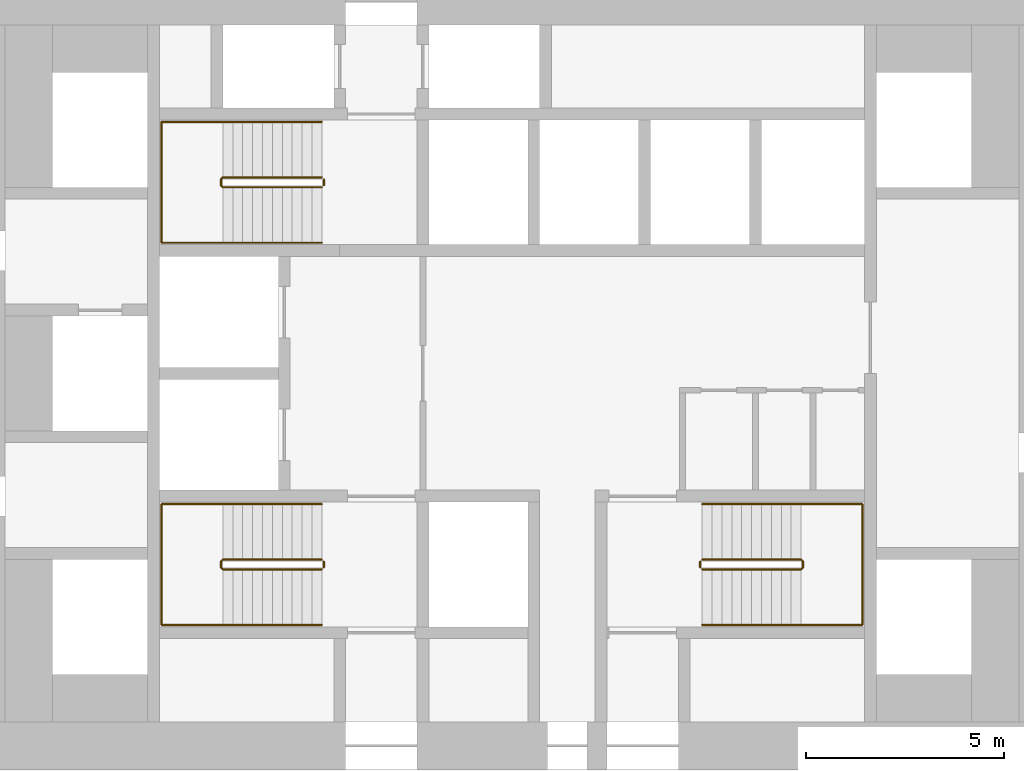
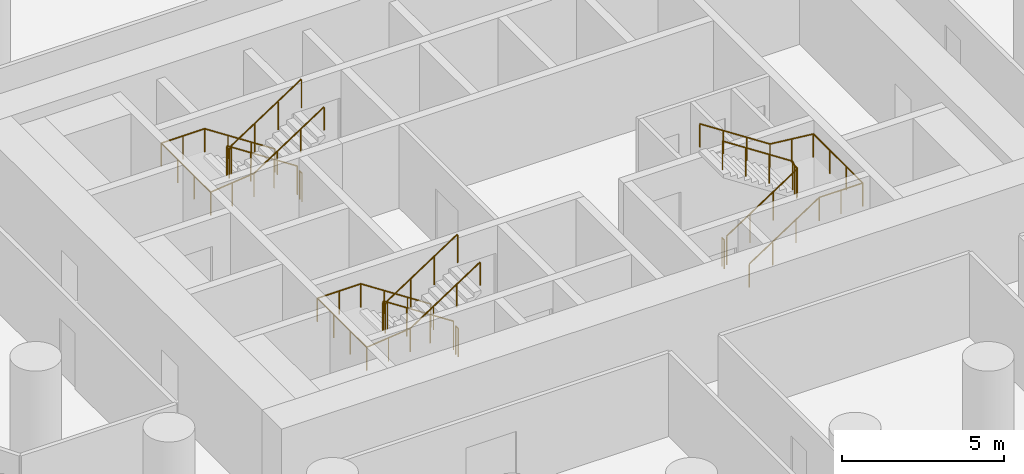
# One storey, part 12 of 12: 9 railings.
"""IFC4 building model written with IfcOpenShell, lengths in metres."""

import ifcopenshell
import ifcopenshell.guid

model = None  # the IFC model being written
_history = None  # IfcOwnerHistory: only IFC2X3 demands one
_inside = {}  # id of a spatial element -> (the spatial element, [elements in it])
_under = {}  # id of a project, library or spatial element -> (it, [spatial elements below it])
_declared = {}  # id of a project -> (the project, [libraries it declares])
_typed = {}  # id of a type object -> (the type object, [elements of that type])
_made_of = {}  # id of a material, layer set ... -> (it, [elements and type objects made of it])


def new_model(schema):
    """Start an empty IFC model of exactly this schema.

    Asked for "IFC4X3", IfcOpenShell would pick the latest addendum, in which some entities
    have other attributes; the version numbers below select the first issue.
    IFC2X3 requires an IfcOwnerHistory on every rooted entity: one is made here for all.
    """
    global model, _history
    if schema == "IFC4X3":
        model = ifcopenshell.file(schema_version=(4, 3, 0, 0))
    else:
        model = ifcopenshell.file(schema=schema)
    _inside.clear()
    _under.clear()
    _declared.clear()
    _typed.clear()
    _made_of.clear()
    _history = None
    if model.schema == "IFC2X3":
        org = make("IfcOrganization", Name="unknown")
        user = make(
            "IfcPersonAndOrganization",
            ThePerson=make("IfcPerson", FamilyName="unknown"),
            TheOrganization=org,
        )
        app = make(
            "IfcApplication",
            ApplicationDeveloper=org,
            Version="unknown",
            ApplicationFullName="unknown",
            ApplicationIdentifier="unknown",
        )
        _history = make(
            "IfcOwnerHistory",
            OwningUser=user,
            OwningApplication=app,
            ChangeAction="ADDED",
            CreationDate=0,
        )
    return model


def make(cls, **values):
    """One entity of the class cls with the attributes given. An attribute that is None is left unset."""
    return model.create_entity(
        cls, **{name: value for name, value in values.items() if value is not None}
    )


def rooted(cls, **values):
    """An entity with a GlobalId (a new one), such as an element, a storey or a relation."""
    return make(cls, GlobalId=ifcopenshell.guid.new(), OwnerHistory=_history, **values)


def si_unit(unit_type, name, prefix=None):
    """IfcSIUnit, for example si_unit("LENGTHUNIT", "METRE", prefix="MILLI")."""
    return make("IfcSIUnit", UnitType=unit_type, Prefix=prefix, Name=name)


def assignment(units):
    """IfcUnitAssignment: the units of a project."""
    return None if units is None else make("IfcUnitAssignment", Units=units)


def point(xyz):
    """IfcCartesianPoint."""
    return None if xyz is None else make("IfcCartesianPoint", Coordinates=xyz)


def direction(xyz):
    """IfcDirection."""
    return None if xyz is None else make("IfcDirection", DirectionRatios=xyz)


def frame(location, z_axis=None, x_axis=None):
    """IfcAxis2Placement3D, a coordinate frame: its origin and axes. An axis left out is left unset."""
    return make(
        "IfcAxis2Placement3D",
        Location=point(location),
        Axis=direction(z_axis),
        RefDirection=direction(x_axis),
    )


def frame_2d(location, x_axis=None):
    """IfcAxis2Placement2D, a coordinate frame in the plane: its origin and x axis."""
    return make(
        "IfcAxis2Placement2D", Location=point(location), RefDirection=direction(x_axis)
    )


def origin():
    """The frame at (0, 0, 0) with its axes left unset."""
    return frame((0.0, 0.0, 0.0))


def origin_2d():
    """The frame at (0, 0) in the plane with its x axis left unset."""
    return frame_2d((0.0, 0.0))


def place(relative_to, where):
    """IfcLocalPlacement: puts the frame where relative to a parent placement (None: the world)."""
    return make(
        "IfcLocalPlacement", PlacementRelTo=relative_to, RelativePlacement=where
    )


def context(
    kind, dimensions, precision=None, world=None, true_north=None, identifier=None
):
    """IfcGeometricRepresentationContext, for example the 3D "Model" context."""
    return make(
        "IfcGeometricRepresentationContext",
        ContextIdentifier=identifier,
        ContextType=kind,
        CoordinateSpaceDimension=dimensions,
        Precision=precision,
        WorldCoordinateSystem=world,
        TrueNorth=true_north,
    )


def subcontext(parent, identifier, kind, view, scale=None):
    """IfcGeometricRepresentationSubContext, for example "Body" below "Model"."""
    return make(
        "IfcGeometricRepresentationSubContext",
        ContextIdentifier=identifier,
        ContextType=kind,
        ParentContext=parent,
        TargetScale=scale,
        TargetView=view,
    )


def project(units=None, contexts=None):
    """IfcProject with its units and contexts."""
    return rooted(
        "IfcProject",
        Name="project",
        RepresentationContexts=contexts,
        UnitsInContext=assignment(units),
    )


def spatial(cls, under=None, at=None, **own):
    """A site, building, storey or space (cls), placed at a placement, below another one or the project."""
    s = rooted(cls, ObjectPlacement=at, **own)
    if under is not None:
        _under.setdefault(under.id(), (under, []))[1].append(s)
    return s


def profile(cls, at=None, kind="AREA", **sizes):
    """A parametric profile (cls). Its sizes go by their IFC names, for example OverallWidth=200.0."""
    return make(cls, ProfileType=kind, Position=at, **sizes)


def circle(**sizes):
    """IfcCircleProfileDef."""
    return profile("IfcCircleProfileDef", **sizes)


def extrude(swept, where, along, depth):
    """IfcExtrudedAreaSolid: the profile swept, set in the frame where, extruded along a direction by depth."""
    return make(
        "IfcExtrudedAreaSolid",
        SweptArea=swept,
        Position=where,
        ExtrudedDirection=direction(along),
        Depth=depth,
    )


def shape(context_of_items, identifier, shape_type, items):
    """IfcShapeRepresentation: the items that make up one representation, for example the "Body"."""
    return make(
        "IfcShapeRepresentation",
        ContextOfItems=context_of_items,
        RepresentationIdentifier=identifier,
        RepresentationType=shape_type,
        Items=items,
    )


def material(Name=None, Category=None):
    """IfcMaterial."""
    return make("IfcMaterial", Name=Name, Category=Category)


def made_of(thing, what):
    """Note that an element or type object is made of a material, layer set ...; save() writes the relation."""
    if what is not None:
        _made_of.setdefault(what.id(), (what, []))[1].append(thing)
    return thing


def type_object(cls, material=None, **own):
    """A type object (cls), such as IfcWallType, which elements share."""
    return made_of(rooted(cls, **own), material)


def element(
    cls,
    number,
    at=None,
    inside=None,
    cuts=None,
    type_object=None,
    material=None,
    context=None,
    identifier="Body",
    shape_type=None,
    held_by="IfcProductDefinitionShape",
    body=None,
    shapes=None,
    **own,
):
    """One element of the class cls, such as IfcWall. Its Tag is "e" and its number.

    at: its placement. inside: the storey or other place that contains it. cuts: it is an
    opening in that element (IfcRelVoidsElement). A single representation is given by context,
    identifier, shape_type and body (its items); several are given by shapes. held_by: the class
    of the entity that holds the representations. save() writes the other relations.
    """
    e = rooted(cls, Tag="e%d" % number, ObjectPlacement=at, **own)
    if body is not None:
        shapes = [shape(context, identifier, shape_type, body)]
    if shapes is not None:
        e.Representation = make(held_by, Representations=shapes)
    if inside is not None:
        _inside.setdefault(inside.id(), (inside, []))[1].append(e)
    if cuts is not None:
        rooted(
            "IfcRelVoidsElement", RelatingBuildingElement=cuts, RelatedOpeningElement=e
        )
    if type_object is not None:
        _typed.setdefault(type_object.id(), (type_object, []))[1].append(e)
    return made_of(e, material)


def aggregate(whole, parts):
    """IfcRelAggregates: a whole, such as a stair, and the parts it consists of."""
    return rooted("IfcRelAggregates", RelatingObject=whole, RelatedObjects=parts)


def save(model, path):
    """Write the relations noted so far, then the file.

    IfcRelAggregates (storeys below a building ...), IfcRelContainedInSpatialStructure (elements
    in a storey), IfcRelDefinesByType, IfcRelAssociatesMaterial and IfcRelDeclares: one each for
    every whole, place, type object, material and project.
    """
    for whole, parts in _under.values():
        aggregate(whole, parts)
    for where, things in _inside.values():
        rooted(
            "IfcRelContainedInSpatialStructure",
            RelatedElements=things,
            RelatingStructure=where,
        )
    for kind, things in _typed.values():
        rooted("IfcRelDefinesByType", RelatedObjects=things, RelatingType=kind)
    for what, things in _made_of.values():
        rooted("IfcRelAssociatesMaterial", RelatedObjects=things, RelatingMaterial=what)
    for by, libraries in _declared.values():
        rooted("IfcRelDeclares", RelatingContext=by, RelatedDefinitions=libraries)
    model.write(path)


model = new_model("IFC4")

# Units and contexts
model_context = context("Model", 3, precision=1e-05, world=origin(), true_north=direction((0.0, 1.0)))
body_context = subcontext(model_context, "Body", "Model", "MODEL_VIEW")
ifc_project = project(units=[si_unit("LENGTHUNIT", "METRE"), si_unit("AREAUNIT", "SQUARE_METRE"), si_unit("VOLUMEUNIT", "CUBIC_METRE"), si_unit("PLANEANGLEUNIT", "RADIAN"), si_unit("MASSUNIT", "GRAM", prefix="KILO")], contexts=[model_context])

# Site, building, storey
site_placement = place(None, origin())
site = spatial("IfcSite", under=ifc_project, at=site_placement, CompositionType="ELEMENT")
building_placement = place(site_placement, origin())
building = spatial("IfcBuilding", under=site, at=building_placement, Name="Tracery Tower", CompositionType="ELEMENT")
storey_placement = place(building_placement, frame((0.0, 0.0, 28.199951171875)))
storey = spatial("IfcBuildingStorey", under=building, at=storey_placement, Name="L05", CompositionType="ELEMENT", Elevation=28.199951171875)

# Railings
ifc_material_1 = material(Name="Stainless steel and laminated glass", Category="steel")
railing_type_1 = type_object("IfcRailingType", Name="Stair guard 1100", PredefinedType="GUARDRAIL", material=ifc_material_1)
railing_1_placement = place(storey_placement, frame((-4.800048828125, -4.699951171875, 0.16357421875)))
element("IfcRailing", 1, at=railing_1_placement, inside=storey, type_object=railing_type_1, Name="L05 stair ST1 guard 1", PredefinedType="GUARDRAIL", context=body_context, shape_type="SweptSolid", body=[
    extrude(circle(Radius=0.02392578125, at=origin_2d()), frame((0.0, 0.0, 1.076171875), z_axis=(-0.83668449804, 0.0, 0.54768517484), x_axis=(0.0, -1.0, 0.0)), (0.0, 0.0, 1.0), 2.988037109375),
    extrude(circle(Radius=0.02392578125, at=origin_2d()), frame((-2.5, 0.0, 2.71240234375), z_axis=(-0.707106781187, -0.707106781187, 0.0), x_axis=(0.707106781187, -0.707106781187, 0.0)), (0.0, 0.0, 1.0), 0.07080078125),
    extrude(circle(Radius=0.02392578125, at=origin_2d()), frame((-2.550048828125, -0.050048828125, 2.71240234375), z_axis=(0.0, -1.0, 0.0), x_axis=(1.0, 0.0, 0.0)), (0.0, 0.0, 1.0), 0.14990234375),
    extrude(circle(Radius=0.02392578125, at=origin_2d()), frame((-2.550048828125, -0.199951171875, 2.71240234375), z_axis=(0.280808744504, -0.280808744504, 0.917765164963), x_axis=(0.707106781187, 0.707106781187, 0.0)), (0.0, 0.0, 1.0), 0.17822265625),
    extrude(circle(Radius=0.02392578125, at=origin_2d()), frame((-2.5, -0.25, 2.8759765625), z_axis=(0.83668449804, 0.0, 0.54768517484), x_axis=(0.0, 1.0, 0.0)), (0.0, 0.0, 1.0), 2.988037109375),
    extrude(circle(Radius=0.02099609375, at=origin_2d()), origin(), (0.0, 0.0, 1.0), 1.052001953125),
    extrude(circle(Radius=0.02099609375, at=origin_2d()), frame((-0.833251953125, 0.0, 0.54541015625)), (0.0, 0.0, 1.0), 1.052001953125),
    extrude(circle(Radius=0.02099609375, at=origin_2d()), frame((-1.666748046875, 0.0, 1.091064453125)), (0.0, 0.0, 1.0), 1.052001953125),
    extrude(circle(Radius=0.02099609375, at=origin_2d()), frame((-2.5, 0.0, 1.636474609375)), (0.0, 0.0, 1.0), 1.052001953125),
    extrude(circle(Radius=0.02099609375, at=origin_2d()), frame((-2.550048828125, -0.050048828125, 1.636474609375)), (0.0, 0.0, 1.0), 1.052001953125),
    extrude(circle(Radius=0.02099609375, at=origin_2d()), frame((-2.550048828125, -0.199951171875, 1.636474609375)), (0.0, 0.0, 1.0), 1.052001953125),
    extrude(circle(Radius=0.02099609375, at=origin_2d()), frame((-2.5, -0.25, 1.800048828125)), (0.0, 0.0, 1.0), 1.052001953125),
    extrude(circle(Radius=0.02099609375, at=origin_2d()), frame((-1.666748046875, -0.25, 2.345458984375)), (0.0, 0.0, 1.0), 1.052001953125),
    extrude(circle(Radius=0.02099609375, at=origin_2d()), frame((-0.833251953125, -0.25, 2.89111328125)), (0.0, 0.0, 1.0), 1.052001953125),
    extrude(circle(Radius=0.02099609375, at=origin_2d()), frame((0.0, -0.25, 3.4365234375)), (0.0, 0.0, 1.0), 1.052001953125),
])
railing_2_placement = place(storey_placement, frame((-4.75, -4.75, 0.0)))
element("IfcRailing", 2, at=railing_2_placement, inside=storey, type_object=railing_type_1, Name="L05 stair ST1 guard 2", PredefinedType="GUARDRAIL", context=body_context, shape_type="SweptSolid", body=[
    extrude(circle(Radius=0.02392578125, at=origin_2d()), frame((0.0, 0.0, 1.076171875), z_axis=(0.0, -1.0, 0.0), x_axis=(1.0, 0.0, 0.0)), (0.0, 0.0, 1.0), 0.14990234375),
    extrude(circle(Radius=0.02099609375, at=origin_2d()), origin(), (0.0, 0.0, 1.0), 1.052001953125),
    extrude(circle(Radius=0.02099609375, at=origin_2d()), frame((0.0, -0.14990234375, 0.0)), (0.0, 0.0, 1.0), 1.052001953125),
])
railing_3_placement = place(storey_placement, frame((-4.800048828125, 4.949951171875, 0.16357421875)))
element("IfcRailing", 3, at=railing_3_placement, inside=storey, type_object=railing_type_1, Name="L05 stair ST3 guard 1", PredefinedType="GUARDRAIL", context=body_context, shape_type="SweptSolid", body=[
    extrude(circle(Radius=0.02392578125, at=origin_2d()), frame((0.0, 0.0, 1.076171875), z_axis=(-0.83668449804, 0.0, 0.54768517484), x_axis=(0.0, -1.0, 0.0)), (0.0, 0.0, 1.0), 2.988037109375),
    extrude(circle(Radius=0.02392578125, at=origin_2d()), frame((-2.5, 0.0, 2.71240234375), z_axis=(-0.707106781187, -0.707106781187, 0.0), x_axis=(0.707106781187, -0.707106781187, 0.0)), (0.0, 0.0, 1.0), 0.07080078125),
    extrude(circle(Radius=0.02392578125, at=origin_2d()), frame((-2.550048828125, -0.050048828125, 2.71240234375), z_axis=(0.0, -1.0, 0.0), x_axis=(1.0, 0.0, 0.0)), (0.0, 0.0, 1.0), 0.14990234375),
    extrude(circle(Radius=0.02392578125, at=origin_2d()), frame((-2.550048828125, -0.199951171875, 2.71240234375), z_axis=(0.280808744504, -0.280808744504, 0.917765164963), x_axis=(0.707106781187, 0.707106781187, 0.0)), (0.0, 0.0, 1.0), 0.17822265625),
    extrude(circle(Radius=0.02392578125, at=origin_2d()), frame((-2.5, -0.25, 2.8759765625), z_axis=(0.83668449804, 0.0, 0.54768517484), x_axis=(0.0, 1.0, 0.0)), (0.0, 0.0, 1.0), 2.988037109375),
    extrude(circle(Radius=0.02099609375, at=origin_2d()), origin(), (0.0, 0.0, 1.0), 1.052001953125),
    extrude(circle(Radius=0.02099609375, at=origin_2d()), frame((-0.833251953125, 0.0, 0.54541015625)), (0.0, 0.0, 1.0), 1.052001953125),
    extrude(circle(Radius=0.02099609375, at=origin_2d()), frame((-1.666748046875, 0.0, 1.091064453125)), (0.0, 0.0, 1.0), 1.052001953125),
    extrude(circle(Radius=0.02099609375, at=origin_2d()), frame((-2.5, 0.0, 1.636474609375)), (0.0, 0.0, 1.0), 1.052001953125),
    extrude(circle(Radius=0.02099609375, at=origin_2d()), frame((-2.550048828125, -0.050048828125, 1.636474609375)), (0.0, 0.0, 1.0), 1.052001953125),
    extrude(circle(Radius=0.02099609375, at=origin_2d()), frame((-2.550048828125, -0.199951171875, 1.636474609375)), (0.0, 0.0, 1.0), 1.052001953125),
    extrude(circle(Radius=0.02099609375, at=origin_2d()), frame((-2.5, -0.25, 1.800048828125)), (0.0, 0.0, 1.0), 1.052001953125),
    extrude(circle(Radius=0.02099609375, at=origin_2d()), frame((-1.666748046875, -0.25, 2.345458984375)), (0.0, 0.0, 1.0), 1.052001953125),
    extrude(circle(Radius=0.02099609375, at=origin_2d()), frame((-0.833251953125, -0.25, 2.89111328125)), (0.0, 0.0, 1.0), 1.052001953125),
    extrude(circle(Radius=0.02099609375, at=origin_2d()), frame((0.0, -0.25, 3.4365234375)), (0.0, 0.0, 1.0), 1.052001953125),
])
railing_4_placement = place(storey_placement, frame((-4.75, 4.89990234375, 0.0)))
element("IfcRailing", 4, at=railing_4_placement, inside=storey, type_object=railing_type_1, Name="L05 stair ST3 guard 2", PredefinedType="GUARDRAIL", context=body_context, shape_type="SweptSolid", body=[
    extrude(circle(Radius=0.02392578125, at=origin_2d()), frame((0.0, 0.0, 1.076171875), z_axis=(0.0, -1.0, 0.0), x_axis=(1.0, 0.0, 0.0)), (0.0, 0.0, 1.0), 0.14990234375),
    extrude(circle(Radius=0.02099609375, at=origin_2d()), origin(), (0.0, 0.0, 1.0), 1.052001953125),
    extrude(circle(Radius=0.02099609375, at=origin_2d()), frame((0.0, -0.14990234375, 0.0)), (0.0, 0.0, 1.0), 1.052001953125),
])
railing_5_placement = place(storey_placement, frame((4.800048828125, -4.949951171875, 0.16357421875)))
element("IfcRailing", 5, at=railing_5_placement, inside=storey, type_object=railing_type_1, Name="L05 stair ST2 guard 1", PredefinedType="GUARDRAIL", context=body_context, shape_type="SweptSolid", body=[
    extrude(circle(Radius=0.02392578125, at=origin_2d()), frame((0.0, 0.0, 1.076171875), z_axis=(0.83668449804, 0.0, 0.54768517484), x_axis=(0.0, 1.0, 0.0)), (0.0, 0.0, 1.0), 2.988037109375),
    extrude(circle(Radius=0.02392578125, at=origin_2d()), frame((2.5, 0.0, 2.71240234375), z_axis=(0.707106781187, 0.707106781187, 0.0), x_axis=(-0.707106781187, 0.707106781187, 0.0)), (0.0, 0.0, 1.0), 0.07080078125),
    extrude(circle(Radius=0.02392578125, at=origin_2d()), frame((2.550048828125, 0.050048828125, 2.71240234375), z_axis=(0.0, 1.0, 0.0), x_axis=(-1.0, 0.0, 0.0)), (0.0, 0.0, 1.0), 0.14990234375),
    extrude(circle(Radius=0.02392578125, at=origin_2d()), frame((2.550048828125, 0.199951171875, 2.71240234375), z_axis=(-0.280808744504, 0.280808744504, 0.917765164963), x_axis=(-0.707106781187, -0.707106781187, 0.0)), (0.0, 0.0, 1.0), 0.17822265625),
    extrude(circle(Radius=0.02392578125, at=origin_2d()), frame((2.5, 0.25, 2.8759765625), z_axis=(-0.83668449804, 0.0, 0.54768517484), x_axis=(0.0, -1.0, 0.0)), (0.0, 0.0, 1.0), 2.988037109375),
    extrude(circle(Radius=0.02099609375, at=origin_2d()), origin(), (0.0, 0.0, 1.0), 1.052001953125),
    extrude(circle(Radius=0.02099609375, at=origin_2d()), frame((0.833251953125, 0.0, 0.54541015625)), (0.0, 0.0, 1.0), 1.052001953125),
    extrude(circle(Radius=0.02099609375, at=origin_2d()), frame((1.666748046875, 0.0, 1.091064453125)), (0.0, 0.0, 1.0), 1.052001953125),
    extrude(circle(Radius=0.02099609375, at=origin_2d()), frame((2.5, 0.0, 1.636474609375)), (0.0, 0.0, 1.0), 1.052001953125),
    extrude(circle(Radius=0.02099609375, at=origin_2d()), frame((2.550048828125, 0.050048828125, 1.636474609375)), (0.0, 0.0, 1.0), 1.052001953125),
    extrude(circle(Radius=0.02099609375, at=origin_2d()), frame((2.550048828125, 0.199951171875, 1.636474609375)), (0.0, 0.0, 1.0), 1.052001953125),
    extrude(circle(Radius=0.02099609375, at=origin_2d()), frame((2.5, 0.25, 1.800048828125)), (0.0, 0.0, 1.0), 1.052001953125),
    extrude(circle(Radius=0.02099609375, at=origin_2d()), frame((1.666748046875, 0.25, 2.345458984375)), (0.0, 0.0, 1.0), 1.052001953125),
    extrude(circle(Radius=0.02099609375, at=origin_2d()), frame((0.833251953125, 0.25, 2.89111328125)), (0.0, 0.0, 1.0), 1.052001953125),
    extrude(circle(Radius=0.02099609375, at=origin_2d()), frame((0.0, 0.25, 3.4365234375)), (0.0, 0.0, 1.0), 1.052001953125),
])
railing_6_placement = place(storey_placement, frame((4.75, -4.89990234375, 0.0)))
element("IfcRailing", 6, at=railing_6_placement, inside=storey, type_object=railing_type_1, Name="L05 stair ST2 guard 2", PredefinedType="GUARDRAIL", context=body_context, shape_type="SweptSolid", body=[
    extrude(circle(Radius=0.02392578125, at=origin_2d()), frame((0.0, 0.0, 1.076171875), z_axis=(0.0, 1.0, 0.0), x_axis=(-1.0, 0.0, 0.0)), (0.0, 0.0, 1.0), 0.14990234375),
    extrude(circle(Radius=0.02099609375, at=origin_2d()), origin(), (0.0, 0.0, 1.0), 1.052001953125),
    extrude(circle(Radius=0.02099609375, at=origin_2d()), frame((0.0, 0.14990234375, 0.0)), (0.0, 0.0, 1.0), 1.052001953125),
])
ifc_material_2 = material(Name="Stainless steel and laminated glass", Category="steel")
railing_type_2 = type_object("IfcRailingType", Name="Stair handrail 900", PredefinedType="HANDRAIL", material=ifc_material_2)
railing_7_placement = place(storey_placement, frame((-4.800048828125, -3.300048828125, 0.16357421875)))
element("IfcRailing", 7, at=railing_7_placement, inside=storey, type_object=railing_type_2, Name="L05 stair ST1 handrail 1", PredefinedType="HANDRAIL", context=body_context, shape_type="SweptSolid", body=[
    extrude(circle(Radius=0.02392578125, at=origin_2d()), frame((0.0, 0.0, 0.8759765625), z_axis=(-0.83668449804, 0.0, 0.54768517484), x_axis=(0.0, -1.0, 0.0)), (0.0, 0.0, 1.0), 2.988037109375),
    extrude(circle(Radius=0.02392578125, at=origin_2d()), frame((-2.5, 0.0, 2.51220703125), z_axis=(-1.0, 0.0, 0.0), x_axis=(0.0, -1.0, 0.0)), (0.0, 0.0, 1.0), 1.550048828125),
    extrude(circle(Radius=0.02392578125, at=origin_2d()), frame((-4.050048828125, 0.0, 2.51220703125), z_axis=(0.0, -1.0, 0.0), x_axis=(1.0, 0.0, 0.0)), (0.0, 0.0, 1.0), 3.050048828125),
    extrude(circle(Radius=0.02392578125, at=origin_2d()), frame((-4.050048828125, -3.050048828125, 2.51220703125), z_axis=(0.994477953863, 0.0, 0.104945696817), x_axis=(0.0, 1.0, 0.0)), (0.0, 0.0, 1.0), 1.55859375),
    extrude(circle(Radius=0.02392578125, at=origin_2d()), frame((-2.5, -3.050048828125, 2.67578125), z_axis=(0.83668449804, 0.0, 0.54768517484), x_axis=(0.0, 1.0, 0.0)), (0.0, 0.0, 1.0), 2.988037109375),
    extrude(circle(Radius=0.02099609375, at=origin_2d()), origin(), (0.0, 0.0, 1.0), 0.851806640625),
    extrude(circle(Radius=0.02099609375, at=origin_2d()), frame((-0.833251953125, 0.0, 0.54541015625)), (0.0, 0.0, 1.0), 0.851806640625),
    extrude(circle(Radius=0.02099609375, at=origin_2d()), frame((-1.666748046875, 0.0, 1.091064453125)), (0.0, 0.0, 1.0), 0.851806640625),
    extrude(circle(Radius=0.02099609375, at=origin_2d()), frame((-2.5, 0.0, 1.636474609375)), (0.0, 0.0, 1.0), 0.851806640625),
    extrude(circle(Radius=0.02099609375, at=origin_2d()), frame((-3.27490234375, 0.0, 1.636474609375)), (0.0, 0.0, 1.0), 0.851806640625),
    extrude(circle(Radius=0.02099609375, at=origin_2d()), frame((-4.050048828125, 0.0, 1.636474609375)), (0.0, 0.0, 1.0), 0.851806640625),
    extrude(circle(Radius=0.02099609375, at=origin_2d()), frame((-4.050048828125, -1.0166015625, 1.636474609375)), (0.0, 0.0, 1.0), 0.851806640625),
    extrude(circle(Radius=0.02099609375, at=origin_2d()), frame((-4.050048828125, -2.033447265625, 1.636474609375)), (0.0, 0.0, 1.0), 0.851806640625),
    extrude(circle(Radius=0.02099609375, at=origin_2d()), frame((-4.050048828125, -3.050048828125, 1.636474609375)), (0.0, 0.0, 1.0), 0.851806640625),
    extrude(circle(Radius=0.02099609375, at=origin_2d()), frame((-3.27490234375, -3.050048828125, 1.71826171875)), (0.0, 0.0, 1.0), 0.851806640625),
    extrude(circle(Radius=0.02099609375, at=origin_2d()), frame((-2.5, -3.050048828125, 1.800048828125)), (0.0, 0.0, 1.0), 0.851806640625),
    extrude(circle(Radius=0.02099609375, at=origin_2d()), frame((-1.666748046875, -3.050048828125, 2.345458984375)), (0.0, 0.0, 1.0), 0.851806640625),
    extrude(circle(Radius=0.02099609375, at=origin_2d()), frame((-0.833251953125, -3.050048828125, 2.89111328125)), (0.0, 0.0, 1.0), 0.851806640625),
    extrude(circle(Radius=0.02099609375, at=origin_2d()), frame((0.0, -3.050048828125, 3.4365234375)), (0.0, 0.0, 1.0), 0.851806640625),
])
railing_8_placement = place(storey_placement, frame((-4.800048828125, 6.35009765625, 0.16357421875)))
element("IfcRailing", 8, at=railing_8_placement, inside=storey, type_object=railing_type_2, Name="L05 stair ST3 handrail 1", PredefinedType="HANDRAIL", context=body_context, shape_type="SweptSolid", body=[
    extrude(circle(Radius=0.02392578125, at=origin_2d()), frame((0.0, 0.0, 0.8759765625), z_axis=(-0.83668449804, 0.0, 0.54768517484), x_axis=(0.0, -1.0, 0.0)), (0.0, 0.0, 1.0), 2.988037109375),
    extrude(circle(Radius=0.02392578125, at=origin_2d()), frame((-2.5, 0.0, 2.51220703125), z_axis=(-1.0, 0.0, 0.0), x_axis=(0.0, -1.0, 0.0)), (0.0, 0.0, 1.0), 1.550048828125),
    extrude(circle(Radius=0.02392578125, at=origin_2d()), frame((-4.050048828125, 0.0, 2.51220703125), z_axis=(0.0, -1.0, 0.0), x_axis=(1.0, 0.0, 0.0)), (0.0, 0.0, 1.0), 3.050048828125),
    extrude(circle(Radius=0.02392578125, at=origin_2d()), frame((-4.050048828125, -3.050048828125, 2.51220703125), z_axis=(0.994477953863, 0.0, 0.104945696817), x_axis=(0.0, 1.0, 0.0)), (0.0, 0.0, 1.0), 1.55859375),
    extrude(circle(Radius=0.02392578125, at=origin_2d()), frame((-2.5, -3.050048828125, 2.67578125), z_axis=(0.83668449804, 0.0, 0.54768517484), x_axis=(0.0, 1.0, 0.0)), (0.0, 0.0, 1.0), 2.988037109375),
    extrude(circle(Radius=0.02099609375, at=origin_2d()), origin(), (0.0, 0.0, 1.0), 0.851806640625),
    extrude(circle(Radius=0.02099609375, at=origin_2d()), frame((-0.833251953125, 0.0, 0.54541015625)), (0.0, 0.0, 1.0), 0.851806640625),
    extrude(circle(Radius=0.02099609375, at=origin_2d()), frame((-1.666748046875, 0.0, 1.091064453125)), (0.0, 0.0, 1.0), 0.851806640625),
    extrude(circle(Radius=0.02099609375, at=origin_2d()), frame((-2.5, 0.0, 1.636474609375)), (0.0, 0.0, 1.0), 0.851806640625),
    extrude(circle(Radius=0.02099609375, at=origin_2d()), frame((-3.27490234375, 0.0, 1.636474609375)), (0.0, 0.0, 1.0), 0.851806640625),
    extrude(circle(Radius=0.02099609375, at=origin_2d()), frame((-4.050048828125, 0.0, 1.636474609375)), (0.0, 0.0, 1.0), 0.851806640625),
    extrude(circle(Radius=0.02099609375, at=origin_2d()), frame((-4.050048828125, -1.0166015625, 1.636474609375)), (0.0, 0.0, 1.0), 0.851806640625),
    extrude(circle(Radius=0.02099609375, at=origin_2d()), frame((-4.050048828125, -2.033447265625, 1.636474609375)), (0.0, 0.0, 1.0), 0.851806640625),
    extrude(circle(Radius=0.02099609375, at=origin_2d()), frame((-4.050048828125, -3.050048828125, 1.636474609375)), (0.0, 0.0, 1.0), 0.851806640625),
    extrude(circle(Radius=0.02099609375, at=origin_2d()), frame((-3.27490234375, -3.050048828125, 1.71826171875)), (0.0, 0.0, 1.0), 0.851806640625),
    extrude(circle(Radius=0.02099609375, at=origin_2d()), frame((-2.5, -3.050048828125, 1.800048828125)), (0.0, 0.0, 1.0), 0.851806640625),
    extrude(circle(Radius=0.02099609375, at=origin_2d()), frame((-1.666748046875, -3.050048828125, 2.345458984375)), (0.0, 0.0, 1.0), 0.851806640625),
    extrude(circle(Radius=0.02099609375, at=origin_2d()), frame((-0.833251953125, -3.050048828125, 2.89111328125)), (0.0, 0.0, 1.0), 0.851806640625),
    extrude(circle(Radius=0.02099609375, at=origin_2d()), frame((0.0, -3.050048828125, 3.4365234375)), (0.0, 0.0, 1.0), 0.851806640625),
])
railing_9_placement = place(storey_placement, frame((4.800048828125, -6.35009765625, 0.16357421875)))
element("IfcRailing", 9, at=railing_9_placement, inside=storey, type_object=railing_type_2, Name="L05 stair ST2 handrail 1", PredefinedType="HANDRAIL", context=body_context, shape_type="SweptSolid", body=[
    extrude(circle(Radius=0.02392578125, at=origin_2d()), frame((0.0, 0.0, 0.8759765625), z_axis=(0.83668449804, 0.0, 0.54768517484), x_axis=(0.0, 1.0, 0.0)), (0.0, 0.0, 1.0), 2.988037109375),
    extrude(circle(Radius=0.02392578125, at=origin_2d()), frame((2.5, 0.0, 2.51220703125), z_axis=(1.0, 0.0, 0.0), x_axis=(0.0, 1.0, 0.0)), (0.0, 0.0, 1.0), 1.550048828125),
    extrude(circle(Radius=0.02392578125, at=origin_2d()), frame((4.050048828125, 0.0, 2.51220703125), z_axis=(0.0, 1.0, 0.0), x_axis=(-1.0, 0.0, 0.0)), (0.0, 0.0, 1.0), 3.050048828125),
    extrude(circle(Radius=0.02392578125, at=origin_2d()), frame((4.050048828125, 3.050048828125, 2.51220703125), z_axis=(-0.994477953863, 0.0, 0.104945696817), x_axis=(0.0, -1.0, 0.0)), (0.0, 0.0, 1.0), 1.55859375),
    extrude(circle(Radius=0.02392578125, at=origin_2d()), frame((2.5, 3.050048828125, 2.67578125), z_axis=(-0.83668449804, 0.0, 0.54768517484), x_axis=(0.0, -1.0, 0.0)), (0.0, 0.0, 1.0), 2.988037109375),
    extrude(circle(Radius=0.02099609375, at=origin_2d()), origin(), (0.0, 0.0, 1.0), 0.851806640625),
    extrude(circle(Radius=0.02099609375, at=origin_2d()), frame((0.833251953125, 0.0, 0.54541015625)), (0.0, 0.0, 1.0), 0.851806640625),
    extrude(circle(Radius=0.02099609375, at=origin_2d()), frame((1.666748046875, 0.0, 1.091064453125)), (0.0, 0.0, 1.0), 0.851806640625),
    extrude(circle(Radius=0.02099609375, at=origin_2d()), frame((2.5, 0.0, 1.636474609375)), (0.0, 0.0, 1.0), 0.851806640625),
    extrude(circle(Radius=0.02099609375, at=origin_2d()), frame((3.27490234375, 0.0, 1.636474609375)), (0.0, 0.0, 1.0), 0.851806640625),
    extrude(circle(Radius=0.02099609375, at=origin_2d()), frame((4.050048828125, 0.0, 1.636474609375)), (0.0, 0.0, 1.0), 0.851806640625),
    extrude(circle(Radius=0.02099609375, at=origin_2d()), frame((4.050048828125, 1.0166015625, 1.636474609375)), (0.0, 0.0, 1.0), 0.851806640625),
    extrude(circle(Radius=0.02099609375, at=origin_2d()), frame((4.050048828125, 2.033447265625, 1.636474609375)), (0.0, 0.0, 1.0), 0.851806640625),
    extrude(circle(Radius=0.02099609375, at=origin_2d()), frame((4.050048828125, 3.050048828125, 1.636474609375)), (0.0, 0.0, 1.0), 0.851806640625),
    extrude(circle(Radius=0.02099609375, at=origin_2d()), frame((3.27490234375, 3.050048828125, 1.71826171875)), (0.0, 0.0, 1.0), 0.851806640625),
    extrude(circle(Radius=0.02099609375, at=origin_2d()), frame((2.5, 3.050048828125, 1.800048828125)), (0.0, 0.0, 1.0), 0.851806640625),
    extrude(circle(Radius=0.02099609375, at=origin_2d()), frame((1.666748046875, 3.050048828125, 2.345458984375)), (0.0, 0.0, 1.0), 0.851806640625),
    extrude(circle(Radius=0.02099609375, at=origin_2d()), frame((0.833251953125, 3.050048828125, 2.89111328125)), (0.0, 0.0, 1.0), 0.851806640625),
    extrude(circle(Radius=0.02099609375, at=origin_2d()), frame((0.0, 3.050048828125, 3.4365234375)), (0.0, 0.0, 1.0), 0.851806640625),
])

save(model, "model.ifc")
